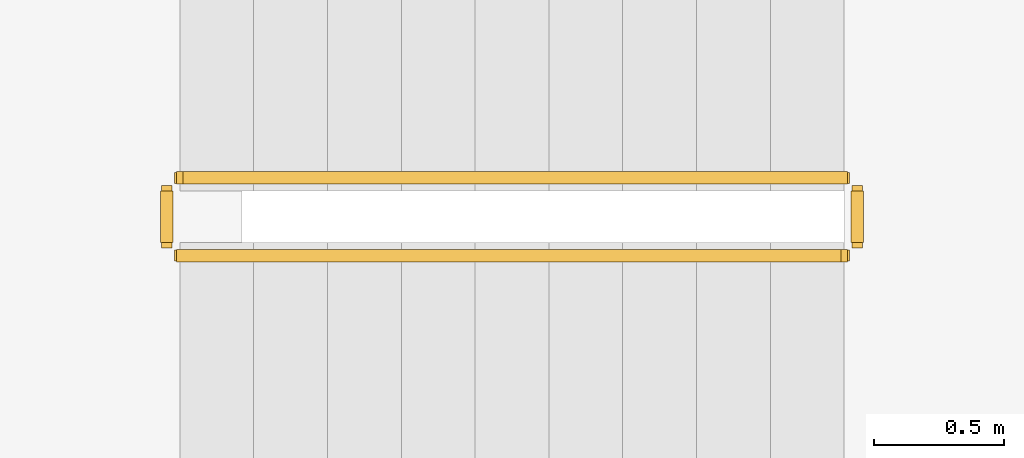
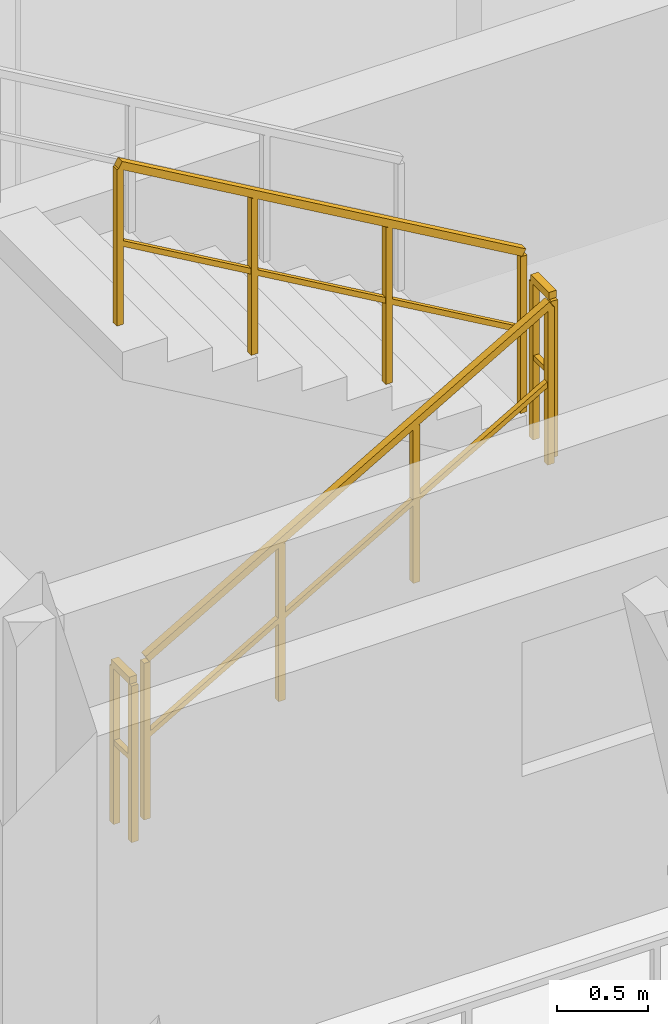
# One storey, part 50 of 60: 4 railings.
"""IFC4 building model written with IfcOpenShell, lengths in metres."""

from ifc_helpers import new_model, si_unit, direction, frame, origin, origin_2d, place, context, subcontext, project, spatial, rectangle, extrude, material, type_object, element, save


model = new_model("IFC4")

# Units and contexts
model_context = context("Model", 3, precision=1e-05, world=origin(), true_north=direction((0.0, 1.0)))
body_context = subcontext(model_context, "Body", "Model", "MODEL_VIEW")
ifc_project = project(units=[si_unit("LENGTHUNIT", "METRE"), si_unit("AREAUNIT", "SQUARE_METRE"), si_unit("VOLUMEUNIT", "CUBIC_METRE"), si_unit("PLANEANGLEUNIT", "RADIAN"), si_unit("MASSUNIT", "GRAM", prefix="KILO")], contexts=[model_context])

# Site, building, storey
site_placement = place(None, origin())
site = spatial("IfcSite", under=ifc_project, at=site_placement, CompositionType="ELEMENT")
building_placement = place(site_placement, origin())
building = spatial("IfcBuilding", under=site, at=building_placement, Name="Suanplinth Sawtooth Commons", CompositionType="ELEMENT")
storey_placement = place(building_placement, frame((0.0, 0.0, 31.5)))
storey = spatial("IfcBuildingStorey", under=building, at=storey_placement, Name="L09", CompositionType="ELEMENT", Elevation=31.5)

# Railings
ifc_material = material(Name="Stainless steel Grade 304", Category="steel")
railing_type = type_object("IfcRailingType", Name="GR-04", PredefinedType="GUARDRAIL", material=ifc_material)
railing_1_placement = place(storey_placement, frame((45.050048828125, 109.85009765625, 0.1650390625)))
element("IfcRailing", 1, at=railing_1_placement, inside=storey, type_object=railing_type, Name="L09 ST-N1 Guard 1", PredefinedType="GUARDRAIL", context=body_context, shape_type="SweptSolid", body=[
    extrude(rectangle(XDim=0.048095703125, YDim=0.048095703125, at=origin_2d()), frame((0.0, 0.0, 1.076171875), z_axis=(0.865441324677, 0.0, 0.50101029285), x_axis=(0.0, 1.0, 0.0)), (0.0, 0.0, 1.0), 2.963623046875),
    extrude(rectangle(XDim=0.03369140625, YDim=0.03369140625, at=origin_2d()), frame((0.0, 0.0, 0.550048828125), z_axis=(0.865441324677, 0.0, 0.50101029285), x_axis=(0.0, 1.0, 0.0)), (0.0, 0.0, 1.0), 2.963623046875),
    extrude(rectangle(XDim=0.0419921875, YDim=0.0419921875, at=origin_2d()), origin(), (0.0, 0.0, 1.0), 1.052001953125),
    extrude(rectangle(XDim=0.0419921875, YDim=0.0419921875, at=origin_2d()), frame((0.85498046875, 0.0, 0.494873046875)), (0.0, 0.0, 1.0), 1.052001953125),
    extrude(rectangle(XDim=0.0419921875, YDim=0.0419921875, at=origin_2d()), frame((1.7099609375, 0.0, 0.989990234375)), (0.0, 0.0, 1.0), 1.052001953125),
    extrude(rectangle(XDim=0.0419921875, YDim=0.0419921875, at=origin_2d()), frame((2.56494140625, 0.0, 1.48486328125)), (0.0, 0.0, 1.0), 1.052001953125),
])
railing_2_placement = place(storey_placement, frame((47.6650390625, 109.89990234375, 1.64990234375)))
element("IfcRailing", 2, at=railing_2_placement, inside=storey, type_object=railing_type, Name="L09 ST-N1 Guard 2", PredefinedType="GUARDRAIL", context=body_context, shape_type="SweptSolid", body=[
    extrude(rectangle(XDim=0.048095703125, YDim=0.048095703125, at=origin_2d()), frame((0.0, 0.0, 1.076171875), z_axis=(0.0, 1.0, 0.0), x_axis=(-1.0, 0.0, 0.0)), (0.0, 0.0, 1.0), 0.2001953125),
    extrude(rectangle(XDim=0.03369140625, YDim=0.03369140625, at=origin_2d()), frame((0.0, 0.0, 0.550048828125), z_axis=(0.0, 1.0, 0.0), x_axis=(-1.0, 0.0, 0.0)), (0.0, 0.0, 1.0), 0.2001953125),
    extrude(rectangle(XDim=0.0419921875, YDim=0.0419921875, at=origin_2d()), origin(), (0.0, 0.0, 1.0), 1.052001953125),
    extrude(rectangle(XDim=0.0419921875, YDim=0.0419921875, at=origin_2d()), frame((0.0, 0.2001953125, 0.0)), (0.0, 0.0, 1.0), 1.052001953125),
])
railing_3_placement = place(storey_placement, frame((47.614990234375, 110.14990234375, 1.81494140625)))
element("IfcRailing", 3, at=railing_3_placement, inside=storey, type_object=railing_type, Name="L09 ST-N1 Guard 3", PredefinedType="GUARDRAIL", context=body_context, shape_type="SweptSolid", body=[
    extrude(rectangle(XDim=0.048095703125, YDim=0.048095703125, at=origin_2d()), frame((0.0, 0.0, 1.076171875), z_axis=(-0.865405606168, 0.0, 0.501071987656), x_axis=(0.0, -1.0, 0.0)), (0.0, 0.0, 1.0), 2.9638671875),
    extrude(rectangle(XDim=0.03369140625, YDim=0.03369140625, at=origin_2d()), frame((0.0, 0.0, 0.550048828125), z_axis=(-0.865405606168, 0.0, 0.501071987656), x_axis=(0.0, -1.0, 0.0)), (0.0, 0.0, 1.0), 2.9638671875),
    extrude(rectangle(XDim=0.0419921875, YDim=0.0419921875, at=origin_2d()), origin(), (0.0, 0.0, 1.0), 1.052001953125),
    extrude(rectangle(XDim=0.0419921875, YDim=0.0419921875, at=origin_2d()), frame((-0.85498046875, 0.0, 0.4951171875)), (0.0, 0.0, 1.0), 1.052001953125),
    extrude(rectangle(XDim=0.0419921875, YDim=0.0419921875, at=origin_2d()), frame((-1.7099609375, 0.0, 0.989990234375)), (0.0, 0.0, 1.0), 1.052001953125),
    extrude(rectangle(XDim=0.0419921875, YDim=0.0419921875, at=origin_2d()), frame((-2.56494140625, 0.0, 1.485107421875)), (0.0, 0.0, 1.0), 1.052001953125),
])
railing_4_placement = place(storey_placement, frame((45.0, 109.89990234375, 0.0)))
element("IfcRailing", 4, at=railing_4_placement, inside=storey, type_object=railing_type, Name="L09 ST-N1 Guard 4", PredefinedType="GUARDRAIL", context=body_context, shape_type="SweptSolid", body=[
    extrude(rectangle(XDim=0.048095703125, YDim=0.048095703125, at=origin_2d()), frame((0.0, 0.0, 1.076171875), z_axis=(0.0, 1.0, 0.0), x_axis=(-1.0, 0.0, 0.0)), (0.0, 0.0, 1.0), 0.2001953125),
    extrude(rectangle(XDim=0.03369140625, YDim=0.03369140625, at=origin_2d()), frame((0.0, 0.0, 0.550048828125), z_axis=(0.0, 1.0, 0.0), x_axis=(-1.0, 0.0, 0.0)), (0.0, 0.0, 1.0), 0.2001953125),
    extrude(rectangle(XDim=0.0419921875, YDim=0.0419921875, at=origin_2d()), origin(), (0.0, 0.0, 1.0), 1.052001953125),
    extrude(rectangle(XDim=0.0419921875, YDim=0.0419921875, at=origin_2d()), frame((0.0, 0.2001953125, 0.0)), (0.0, 0.0, 1.0), 1.052001953125),
])

save(model, "model.ifc")
